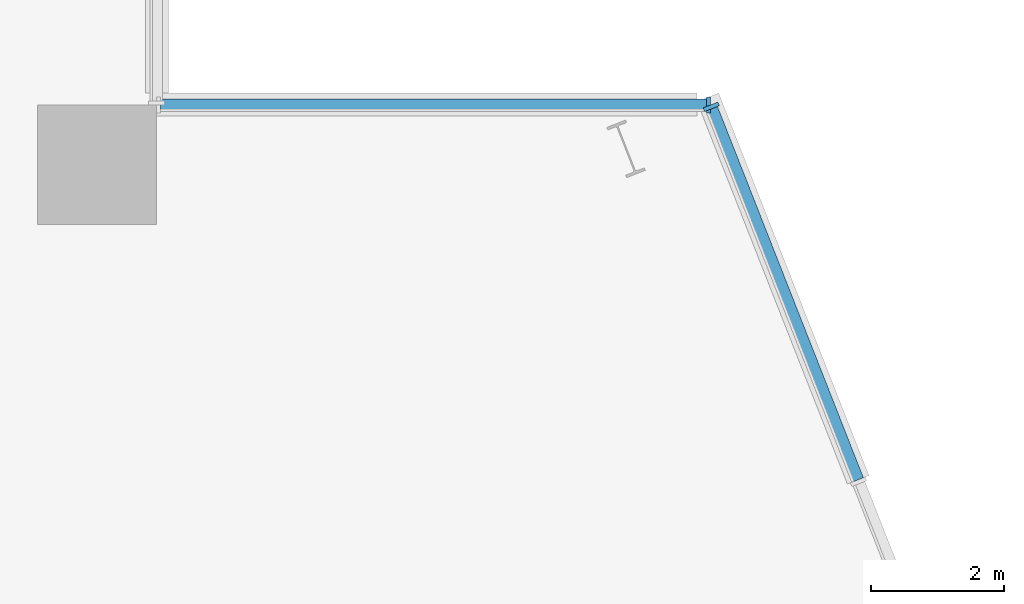
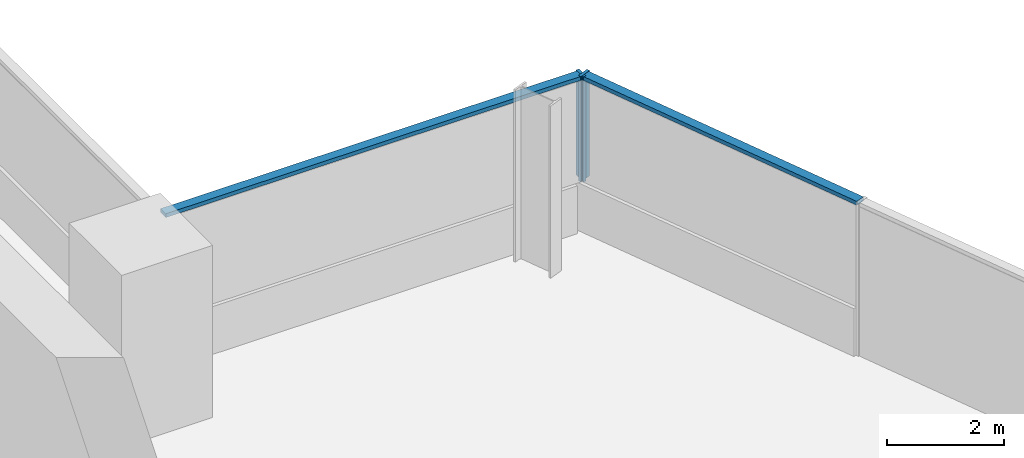
# One storey, part 11 of 27: 4 members, 2 elements without a shape of their own.
"""IFC4 building model written with IfcOpenShell, lengths in metres."""

from ifc_helpers import new_model, si_unit, direction, frame, origin, origin_2d, place, context, subcontext, project, spatial, rectangle, extrude, material, material_profile, profile_set, type_object, element, aggregate, save


model = new_model("IFC4")

# Units and contexts
model_context = context("Model", 3, precision=1e-05, world=origin(), true_north=direction((0.0, 1.0)))
body_context = subcontext(model_context, "Body", "Model", "MODEL_VIEW")
ifc_project = project(units=[si_unit("LENGTHUNIT", "METRE"), si_unit("AREAUNIT", "SQUARE_METRE"), si_unit("VOLUMEUNIT", "CUBIC_METRE"), si_unit("PLANEANGLEUNIT", "RADIAN"), si_unit("MASSUNIT", "GRAM", prefix="KILO")], contexts=[model_context])

# Site, building, storey
site_placement = place(None, origin())
site = spatial("IfcSite", under=ifc_project, at=site_placement, CompositionType="ELEMENT")
building_placement = place(site_placement, origin())
building = spatial("IfcBuilding", under=site, at=building_placement, Name="Wharfspan Tower", CompositionType="ELEMENT")
storey_placement = place(building_placement, frame((0.0, 0.0, 136.300049)))
storey = spatial("IfcBuildingStorey", under=building, at=storey_placement, Name="L32", CompositionType="ELEMENT", Elevation=136.300049)

# Curtain wall, member
ifc_material = material(Name="Aluminium 6063-T6", Category="aluminium")
curtain_wall_type = type_object("IfcCurtainWallType", Name="CURTAIN WALL PROW AND END", PredefinedType="NOTDEFINED", material=ifc_material)
curtain_wall_1_placement = place(storey_placement, origin())
curtain_wall_1 = element("IfcCurtainWall", 1, at=curtain_wall_1_placement, inside=storey, type_object=curtain_wall_type, Name="Curtain wall E", PredefinedType="NOTDEFINED")
ifc_material_profile_1 = material_profile(ifc_material, rectangle(XDim=0.23999, YDim=0.060059, at=origin_2d()))
ifc_profile_set_1 = profile_set([ifc_material_profile_1], Name="Aluminium 6063-T6")
member_type_1 = type_object("IfcMemberType", Name="MULLION PROW AND END 60x240", PredefinedType="MULLION", material=ifc_profile_set_1)
member_1_placement = place(storey_placement, frame((76.369141, 41.972168, 1.0), z_axis=(0.0, 0.0, 1.0), x_axis=(-0.930702, -0.365778, 0.0)))
member_1 = element("IfcMember", 2, at=member_1_placement, type_object=member_type_1, Name="Curtain wall E mullion 8", PredefinedType="MULLION", context=body_context, shape_type="SweptSolid", body=[
    extrude(rectangle(XDim=0.23999, YDim=0.060059, at=origin_2d()), origin(), (0.0, 0.0, 1.0), 2.199951),
])

curtain_wall_2_placement = place(storey_placement, origin())
curtain_wall_2 = element("IfcCurtainWall", 3, at=curtain_wall_2_placement, inside=storey, type_object=curtain_wall_type, Name="Curtain wall NRE-H", PredefinedType="NOTDEFINED")
member_2_placement = place(storey_placement, frame((76.328125, 42.0, 1.0), z_axis=(0.0, 0.0, 1.0), x_axis=(0.0, -1.0, 0.0)))
member_2 = element("IfcMember", 4, at=member_2_placement, type_object=member_type_1, Name="Curtain wall NRE-H mullion 1", PredefinedType="MULLION", context=body_context, shape_type="SweptSolid", body=[
    extrude(rectangle(XDim=0.23999, YDim=0.060059, at=origin_2d()), origin(), (0.0, 0.0, 1.0), 2.199951),
])

# Member
ifc_material_profile_2 = material_profile(ifc_material, rectangle(XDim=0.179932, YDim=0.080078, at=origin_2d()))
ifc_profile_set_2 = profile_set([ifc_material_profile_2], Name="Aluminium 6063-T6")
member_type_2 = type_object("IfcMemberType", Name="TRANSOM PROW AND END 80x180", PredefinedType="USERDEFINED", material=ifc_profile_set_2)
member_3_placement = place(storey_placement, frame((78.581787, 36.342285, 3.159912), z_axis=(-0.365789, 0.930698, 0.0), x_axis=(-0.930698, -0.365789, 0.0)))
member_3 = element("IfcMember", 5, at=member_3_placement, type_object=member_type_2, Name="Curtain wall E transom 7", ObjectType="TRANSOM", PredefinedType="USERDEFINED", context=body_context, shape_type="SweptSolid", body=[
    extrude(rectangle(XDim=0.179932, YDim=0.080078, at=origin_2d()), origin(), (0.0, 0.0, 1.0), 6.019043),
])

aggregate(curtain_wall_1, [member_1, member_3])

member_4_placement = place(storey_placement, frame((76.298096, 42.0, 3.159912), z_axis=(-1.0, 0.0, 0.0), x_axis=(0.0, -1.0, 0.0)))
member_4 = element("IfcMember", 6, at=member_4_placement, type_object=member_type_2, Name="Curtain wall NRE-H transom 1", ObjectType="TRANSOM", PredefinedType="USERDEFINED", context=body_context, shape_type="SweptSolid", body=[
    extrude(rectangle(XDim=0.179932, YDim=0.080078, at=origin_2d()), origin(), (0.0, 0.0, 1.0), 8.238037),
])

aggregate(curtain_wall_2, [member_2, member_4])

save(model, "model.ifc")
